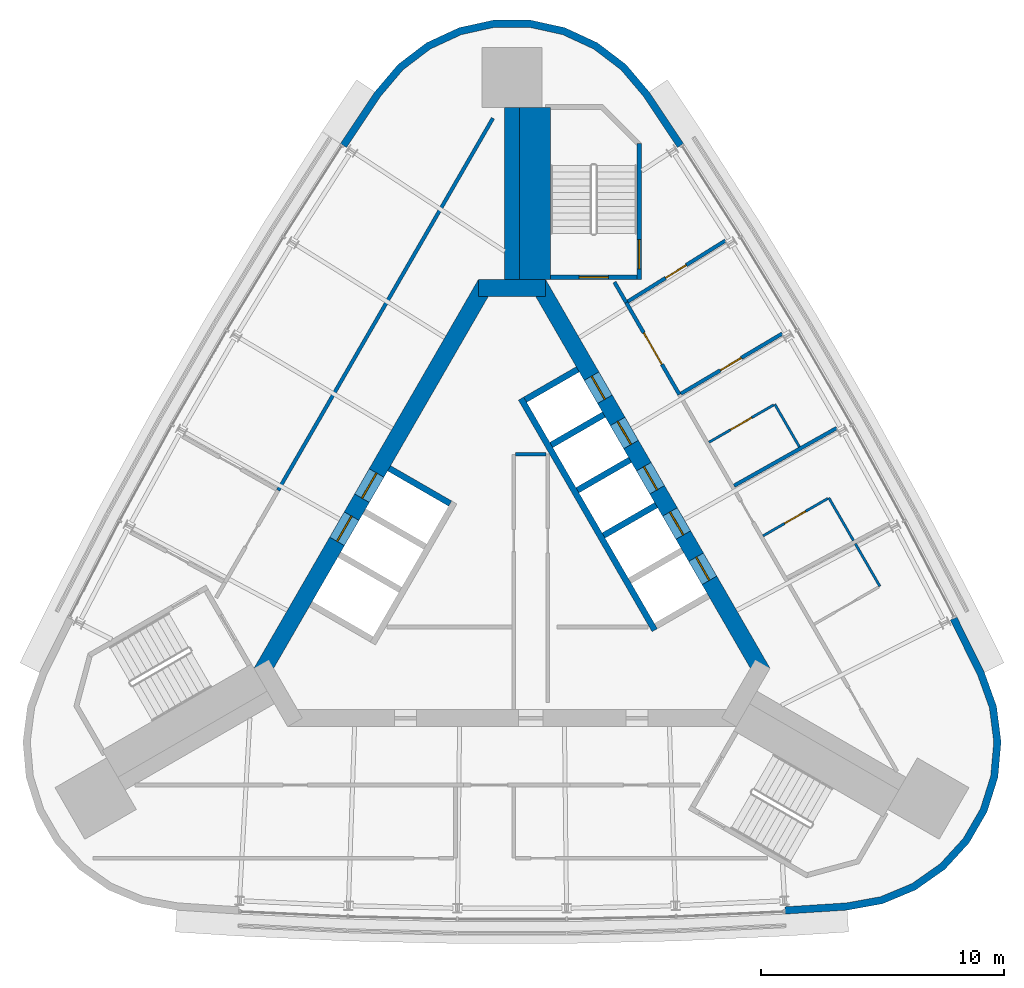
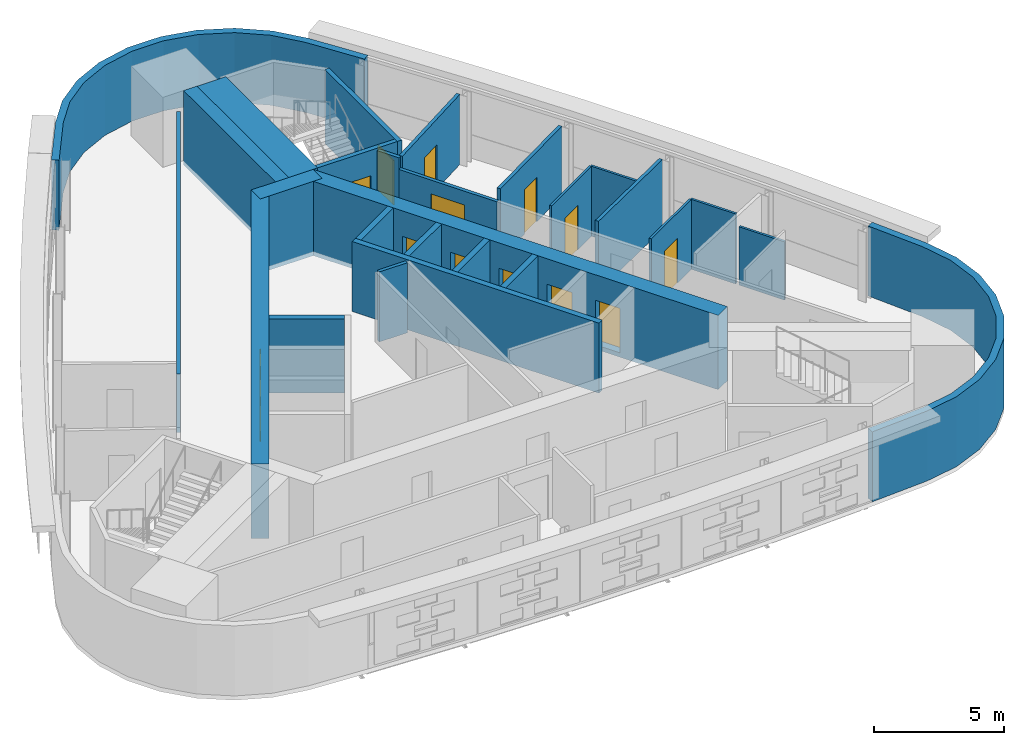
# One storey, part 7 of 10: 27 walls, 14 doors, 14 openings.
"""IFC4 building model written with IfcOpenShell, lengths in metres."""

from ifc_helpers import new_model, si_unit, direction, frame, frame_2d, origin, place, context, subcontext, project, spatial, polyline, rectangle, outline, extrude, material, layer, layer_set, type_object, element, fill, save


model = new_model("IFC4")

# Units and contexts
model_context = context("Model", 3, precision=1e-05, world=origin(), true_north=direction((0.0, 1.0)))
body_context = subcontext(model_context, "Body", "Model", "MODEL_VIEW")
ifc_project = project(units=[si_unit("LENGTHUNIT", "METRE"), si_unit("AREAUNIT", "SQUARE_METRE"), si_unit("VOLUMEUNIT", "CUBIC_METRE"), si_unit("PLANEANGLEUNIT", "RADIAN"), si_unit("MASSUNIT", "GRAM", prefix="KILO")], contexts=[model_context])

# Site, building, storey
site_placement = place(None, origin())
site = spatial("IfcSite", under=ifc_project, at=site_placement, CompositionType="ELEMENT")
building_placement = place(site_placement, origin())
building = spatial("IfcBuilding", under=site, at=building_placement, Name="Noor Cloister Tower", CompositionType="ELEMENT")
storey_placement = place(building_placement, frame((0.0, 0.0, 247.199951171875)))
storey = spatial("IfcBuildingStorey", under=building, at=storey_placement, Name="L64", CompositionType="ELEMENT", Elevation=247.199951171875)

# Walls
ifc_material_1 = material(Name="Concrete C60/75", Category="concrete")
ifc_layer_1 = layer(ifc_material_1, 0.60009765625)
ifc_layer_set_1 = layer_set([ifc_layer_1], Name="Buttress wall 600 C60/75")
wall_type_1 = type_object("IfcWallType", Name="Buttress wall 600 C60/75", PredefinedType="SHEAR", material=ifc_layer_set_1)
wall_1_placement = place(storey_placement, frame((0.0, 11.456298828125, -0.199951171875), z_axis=(0.0, 0.0, 1.0), x_axis=(0.0, 1.0, 0.0)))
element("IfcWall", 1, at=wall_1_placement, inside=storey, type_object=wall_type_1, Name="Buttress wall N L64", PredefinedType="SHEAR", context=body_context, shape_type="SweptSolid", body=[
    extrude(rectangle(XDim=7.09375, YDim=0.60009765625, at=frame_2d((3.546875, 0.0))), origin(), (0.0, 0.0, 1.0), 3.5),
])
ifc_material_2 = material(Name="Concrete C30/37", Category="concrete")
ifc_layer_2 = layer(ifc_material_2, 0.14990234375)
ifc_layer_set_2 = layer_set([ifc_layer_2], Name="Core partition 150 C30/37")
wall_type_2 = type_object("IfcWallType", Name="Core partition 150 C30/37", PredefinedType="PARTITIONING", material=ifc_layer_set_2)
wall_2_placement = place(storey_placement, frame((0.146240234375, 4.271728515625, 0.0), z_axis=(0.0, 0.0, 1.0), x_axis=(1.0, 0.0, 0.0)))
element("IfcWall", 2, at=wall_2_placement, inside=storey, type_object=wall_type_2, Name="Core room partition L64 3", PredefinedType="PARTITIONING", context=body_context, shape_type="SweptSolid", body=[
    extrude(rectangle(XDim=1.25, YDim=0.14990234375, at=frame_2d((0.625, 0.0))), origin(), (0.0, 0.0, 1.0), 3.300048828125),
])

# Wall, openings, doors
ifc_material_3 = material(Name="Concrete C60/75", Category="concrete")
ifc_layer_3 = layer(ifc_material_3, 0.699951171875)
ifc_layer_set_3 = layer_set([ifc_layer_3], Name="Core wall 700 C60/75")
wall_type_3 = type_object("IfcWallType", Name="Core wall 700 C60/75", PredefinedType="SHEAR", material=ifc_layer_set_3)
wall_3_placement = place(storey_placement, frame((10.311279296875, -4.703125, -0.199951171875), z_axis=(0.0, 0.0, 1.0), x_axis=(-0.500001446645, 0.866024568562, 0.0)))
wall_3 = element("IfcWall", 3, at=wall_3_placement, inside=storey, type_object=wall_type_3, Name="Core wall L64 3", PredefinedType="SHEAR", context=body_context, shape_type="SweptSolid", body=[
    extrude(rectangle(XDim=18.45751953125, YDim=0.699951171875, at=frame_2d((9.228759765625, 0.0))), origin(), (0.0, 0.0, 1.0), 3.5),
])
opening_1_placement = place(wall_3_placement, frame((4.378662109375, 0.0, 0.199951171875)))
opening_1 = element("IfcOpeningElement", 4, at=opening_1_placement, cuts=wall_3, Name="Opening L64-HR1", PredefinedType="OPENING", context=body_context, shape_type="SweptSolid", body=[
    extrude(rectangle(XDim=1.10009765625, YDim=2.10009765625, at=frame_2d((0.550048828125, 1.050048828125))), frame((0.0, 0.35986328125, 0.0), z_axis=(0.0, -1.0, 0.0), x_axis=(1.0, 0.0, 0.0)), (0.0, 0.0, 1.0), 0.719970703125),
])
opening_2_placement = place(wall_3_placement, frame((6.52880859375, 0.0, 0.199951171875)))
opening_2 = element("IfcOpeningElement", 5, at=opening_2_placement, cuts=wall_3, Name="Opening L64-HR2", PredefinedType="OPENING", context=body_context, shape_type="SweptSolid", body=[
    extrude(rectangle(XDim=1.10009765625, YDim=2.10009765625, at=frame_2d((0.550048828125, 1.050048828125))), frame((0.0, 0.35986328125, 0.0), z_axis=(0.0, -1.0, 0.0), x_axis=(1.0, 0.0, 0.0)), (0.0, 0.0, 1.0), 0.719970703125),
])
opening_3_placement = place(wall_3_placement, frame((8.6787109375, 0.0, 0.199951171875)))
opening_3 = element("IfcOpeningElement", 6, at=opening_3_placement, cuts=wall_3, Name="Opening L64-HR3", PredefinedType="OPENING", context=body_context, shape_type="SweptSolid", body=[
    extrude(rectangle(XDim=1.10009765625, YDim=2.10009765625, at=frame_2d((0.550048828125, 1.050048828125))), frame((0.0, 0.35986328125, 0.0), z_axis=(0.0, -1.0, 0.0), x_axis=(1.0, 0.0, 0.0)), (0.0, 0.0, 1.0), 0.719970703125),
])
opening_4_placement = place(wall_3_placement, frame((10.82861328125, 0.0, 0.199951171875)))
opening_4 = element("IfcOpeningElement", 7, at=opening_4_placement, cuts=wall_3, Name="Opening L64-HR4", PredefinedType="OPENING", context=body_context, shape_type="SweptSolid", body=[
    extrude(rectangle(XDim=1.10009765625, YDim=2.10009765625, at=frame_2d((0.550048828125, 1.050048828125))), frame((0.0, 0.35986328125, 0.0), z_axis=(0.0, -1.0, 0.0), x_axis=(1.0, 0.0, 0.0)), (0.0, 0.0, 1.0), 0.719970703125),
])
opening_5_placement = place(wall_3_placement, frame((12.978759765625, 0.0, 0.199951171875)))
opening_5 = element("IfcOpeningElement", 8, at=opening_5_placement, cuts=wall_3, Name="Opening L64-HR5", PredefinedType="OPENING", context=body_context, shape_type="SweptSolid", body=[
    extrude(rectangle(XDim=1.10009765625, YDim=2.10009765625, at=frame_2d((0.550048828125, 1.050048828125))), frame((0.0, 0.35986328125, 0.0), z_axis=(0.0, -1.0, 0.0), x_axis=(1.0, 0.0, 0.0)), (0.0, 0.0, 1.0), 0.719970703125),
])
ifc_material_4 = material(Name="Stainless steel", Category="steel")
door_type_1 = type_object("IfcDoorType", Name="Lift landing door 1100 x 2100", OperationType="DOUBLE_DOOR_SLIDING", PredefinedType="DOOR", material=ifc_material_4)
door_1_placement = place(opening_1_placement, origin())
door_1 = element("IfcDoor", 9, at=door_1_placement, inside=storey, type_object=door_type_1, Name="Landing door HR1 L64", OperationType="DOUBLE_DOOR_SLIDING", OverallHeight=2.10009765625, OverallWidth=1.10009765625, PredefinedType="DOOR", context=body_context, shape_type="SweptSolid", body=[
    extrude(rectangle(XDim=1.10009765625, YDim=2.10009765625, at=frame_2d((0.550048828125, 1.050048828125))), frame((0.0, 0.02490234375, 0.0), z_axis=(0.0, -1.0, 0.0), x_axis=(1.0, 0.0, 0.0)), (0.0, 0.0, 1.0), 0.050048828125),
])
fill(opening_1, door_1)
door_2_placement = place(opening_2_placement, origin())
door_2 = element("IfcDoor", 10, at=door_2_placement, inside=storey, type_object=door_type_1, Name="Landing door HR2 L64", OperationType="DOUBLE_DOOR_SLIDING", OverallHeight=2.10009765625, OverallWidth=1.10009765625, PredefinedType="DOOR", context=body_context, shape_type="SweptSolid", body=[
    extrude(rectangle(XDim=1.10009765625, YDim=2.10009765625, at=frame_2d((0.550048828125, 1.050048828125))), frame((0.0, 0.02490234375, 0.0), z_axis=(0.0, -1.0, 0.0), x_axis=(1.0, 0.0, 0.0)), (0.0, 0.0, 1.0), 0.050048828125),
])
fill(opening_2, door_2)
door_3_placement = place(opening_3_placement, origin())
door_3 = element("IfcDoor", 11, at=door_3_placement, inside=storey, type_object=door_type_1, Name="Landing door HR3 L64", OperationType="DOUBLE_DOOR_SLIDING", OverallHeight=2.10009765625, OverallWidth=1.10009765625, PredefinedType="DOOR", context=body_context, shape_type="SweptSolid", body=[
    extrude(rectangle(XDim=1.10009765625, YDim=2.10009765625, at=frame_2d((0.550048828125, 1.050048828125))), frame((0.0, 0.02490234375, 0.0), z_axis=(0.0, -1.0, 0.0), x_axis=(1.0, 0.0, 0.0)), (0.0, 0.0, 1.0), 0.050048828125),
])
fill(opening_3, door_3)
door_4_placement = place(opening_4_placement, origin())
door_4 = element("IfcDoor", 12, at=door_4_placement, inside=storey, type_object=door_type_1, Name="Landing door HR4 L64", OperationType="DOUBLE_DOOR_SLIDING", OverallHeight=2.10009765625, OverallWidth=1.10009765625, PredefinedType="DOOR", context=body_context, shape_type="SweptSolid", body=[
    extrude(rectangle(XDim=1.10009765625, YDim=2.10009765625, at=frame_2d((0.550048828125, 1.050048828125))), frame((0.0, 0.02490234375, 0.0), z_axis=(0.0, -1.0, 0.0), x_axis=(1.0, 0.0, 0.0)), (0.0, 0.0, 1.0), 0.050048828125),
])
fill(opening_4, door_4)
door_5_placement = place(opening_5_placement, origin())
door_5 = element("IfcDoor", 13, at=door_5_placement, inside=storey, type_object=door_type_1, Name="Landing door HR5 L64", OperationType="DOUBLE_DOOR_SLIDING", OverallHeight=2.10009765625, OverallWidth=1.10009765625, PredefinedType="DOOR", context=body_context, shape_type="SweptSolid", body=[
    extrude(rectangle(XDim=1.10009765625, YDim=2.10009765625, at=frame_2d((0.550048828125, 1.050048828125))), frame((0.0, 0.02490234375, 0.0), z_axis=(0.0, -1.0, 0.0), x_axis=(1.0, 0.0, 0.0)), (0.0, 0.0, 1.0), 0.050048828125),
])
fill(opening_5, door_5)

# Wall
wall_4_placement = place(storey_placement, frame((1.3857421875, 11.1064453125, -0.199951171875), z_axis=(0.0, 0.0, 1.0), x_axis=(-1.0, 0.0, 0.0)))
element("IfcWall", 14, at=wall_4_placement, inside=storey, type_object=wall_type_3, Name="Core wall L64 4", PredefinedType="SHEAR", context=body_context, shape_type="SweptSolid", body=[
    extrude(rectangle(XDim=2.771484375, YDim=0.699951171875, at=frame_2d((1.3857421875, 0.0))), origin(), (0.0, 0.0, 1.0), 3.5),
])

# Wall, openings, doors
wall_5_placement = place(storey_placement, frame((-1.08251953125, 11.281494140625, -0.199951171875), z_axis=(0.0, 0.0, 1.0), x_axis=(-0.500001446645, -0.866024568562, 0.0)))
wall_5 = element("IfcWall", 15, at=wall_5_placement, inside=storey, type_object=wall_type_3, Name="Core wall L64 5", PredefinedType="SHEAR", context=body_context, shape_type="SweptSolid", body=[
    extrude(rectangle(XDim=18.45751953125, YDim=0.699951171875, at=frame_2d((9.228759765625, 0.0))), origin(), (0.0, 0.0, 1.0), 3.5),
])
opening_6_placement = place(wall_5_placement, frame((8.978759765625, 0.0, 0.199951171875)))
opening_6 = element("IfcOpeningElement", 16, at=opening_6_placement, cuts=wall_5, Name="Opening L64-FF1", PredefinedType="OPENING", context=body_context, shape_type="SweptSolid", body=[
    extrude(rectangle(XDim=1.199951171875, YDim=2.10009765625, at=frame_2d((0.60009765625, 1.050048828125))), frame((0.0, 0.35986328125, 0.0), z_axis=(0.0, -1.0, 0.0), x_axis=(1.0, 0.0, 0.0)), (0.0, 0.0, 1.0), 0.719970703125),
])
opening_7_placement = place(wall_5_placement, frame((11.02880859375, 0.0, 0.199951171875)))
opening_7 = element("IfcOpeningElement", 17, at=opening_7_placement, cuts=wall_5, Name="Opening L64-FF2", PredefinedType="OPENING", context=body_context, shape_type="SweptSolid", body=[
    extrude(rectangle(XDim=1.199951171875, YDim=2.10009765625, at=frame_2d((0.60009765625, 1.050048828125))), frame((0.0, 0.35986328125, 0.0), z_axis=(0.0, -1.0, 0.0), x_axis=(1.0, 0.0, 0.0)), (0.0, 0.0, 1.0), 0.719970703125),
])
ifc_material_5 = material(Name="Stainless steel", Category="steel")
door_type_2 = type_object("IfcDoorType", Name="Lift landing door 1200 x 2100", OperationType="DOUBLE_DOOR_SLIDING", PredefinedType="DOOR", material=ifc_material_5)
door_6_placement = place(opening_6_placement, origin())
door_6 = element("IfcDoor", 18, at=door_6_placement, inside=storey, type_object=door_type_2, Name="Landing door FF1 L64", OperationType="DOUBLE_DOOR_SLIDING", OverallHeight=2.10009765625, OverallWidth=1.199951171875, PredefinedType="DOOR", context=body_context, shape_type="SweptSolid", body=[
    extrude(rectangle(XDim=1.199951171875, YDim=2.10009765625, at=frame_2d((0.60009765625, 1.050048828125))), frame((0.0, 0.02490234375, 0.0), z_axis=(0.0, -1.0, 0.0), x_axis=(1.0, 0.0, 0.0)), (0.0, 0.0, 1.0), 0.050048828125),
])
fill(opening_6, door_6)
door_7_placement = place(opening_7_placement, origin())
door_7 = element("IfcDoor", 19, at=door_7_placement, inside=storey, type_object=door_type_2, Name="Landing door FF2 L64", OperationType="DOUBLE_DOOR_SLIDING", OverallHeight=2.10009765625, OverallWidth=1.199951171875, PredefinedType="DOOR", context=body_context, shape_type="SweptSolid", body=[
    extrude(rectangle(XDim=1.199951171875, YDim=2.10009765625, at=frame_2d((0.60009765625, 1.050048828125))), frame((0.0, 0.02490234375, 0.0), z_axis=(0.0, -1.0, 0.0), x_axis=(1.0, 0.0, 0.0)), (0.0, 0.0, 1.0), 0.050048828125),
])
fill(opening_7, door_7)

# Walls
ifc_material_6 = material(Name="Fire-rated gypsum board partition on steel studs, 150 mm", Category="steel")
ifc_layer_4 = layer(ifc_material_6, 0.14990234375)
ifc_layer_set_4 = layer_set([ifc_layer_4], Name="Fire lobby wall 150")
wall_type_4 = type_object("IfcWallType", Name="Fire lobby wall 150", PredefinedType="PARTITIONING", material=ifc_layer_set_4)
wall_6_placement = place(storey_placement, frame((-0.783203125, 18.10009765625, 0.0), z_axis=(0.0, 0.0, 1.0), x_axis=(-0.499991500055, -0.866030311174, 0.0)))
element("IfcWall", 20, at=wall_6_placement, inside=storey, type_object=wall_type_4, Name="Wall L64-W21", PredefinedType="PARTITIONING", context=body_context, shape_type="SweptSolid", body=[
    extrude(rectangle(XDim=17.673583984375, YDim=0.14990234375, at=frame_2d((8.8369140625, 0.0))), origin(), (0.0, 0.0, 1.0), 2.751953125),
])
ifc_material_7 = material(Name="Gypsum board partition on steel studs, 150 mm", Category="steel")
ifc_layer_5 = layer(ifc_material_7, 0.14990234375)
ifc_layer_set_5 = layer_set([ifc_layer_5], Name="Flat wall 150")
wall_type_5 = type_object("IfcWallType", Name="Flat wall 150", PredefinedType="PARTITIONING", material=ifc_layer_set_5)
wall_7_placement = place(storey_placement, frame((4.698974609375, 10.517578125, 0.0), z_axis=(0.0, 0.0, 1.0), x_axis=(-0.500042431503, 0.866000904559, 0.0)))
element("IfcWall", 21, at=wall_7_placement, inside=storey, type_object=wall_type_5, Name="Wall L64-W02", PredefinedType="PARTITIONING", context=body_context, shape_type="SweptSolid", body=[
    extrude(rectangle(XDim=0.96875, YDim=0.14990234375, at=frame_2d((0.484375, 0.0))), origin(), (0.0, 0.0, 1.0), 3.300048828125),
])

# Wall, opening, door
wall_8_placement = place(storey_placement, frame((11.115966796875, 9.237548828125, 0.0), z_axis=(0.0, 0.0, 1.0), x_axis=(-0.860234203322, -0.509899122803, 0.0)))
wall_8 = element("IfcWall", 22, at=wall_8_placement, inside=storey, type_object=wall_type_5, Name="Wall L64-W03", PredefinedType="PARTITIONING", context=body_context, shape_type="SweptSolid", body=[
    extrude(rectangle(XDim=4.842529296875, YDim=0.14990234375, at=frame_2d((2.42138671875, 0.0))), origin(), (0.0, 0.0, 1.0), 3.300048828125),
])
opening_8_placement = place(wall_8_placement, frame((1.958740234375, 0.0, 0.0)))
opening_8 = element("IfcOpeningElement", 23, at=opening_8_placement, cuts=wall_8, Name="Opening L64-007", PredefinedType="OPENING", context=body_context, shape_type="SweptSolid", body=[
    extrude(rectangle(XDim=1.0, YDim=2.10009765625, at=frame_2d((0.5, 1.050048828125))), frame((0.0, 0.0849609375, 0.0), z_axis=(0.0, -1.0, 0.0), x_axis=(1.0, 0.0, 0.0)), (0.0, 0.0, 1.0), 0.169921875),
])
ifc_material_8 = material(Name="Timber door leaf with steel frame", Category="steel")
door_type_3 = type_object("IfcDoorType", Name="Flat entrance door 1000", OperationType="NOTDEFINED", PredefinedType="DOOR", material=ifc_material_8)
door_8_placement = place(opening_8_placement, origin())
door_8 = element("IfcDoor", 24, at=door_8_placement, inside=storey, type_object=door_type_3, Name="Door L64-007", OperationType="SINGLE_SWING_LEFT", OverallHeight=2.10009765625, OverallWidth=1.0, PredefinedType="DOOR", context=body_context, shape_type="SweptSolid", body=[
    extrude(rectangle(XDim=1.0, YDim=2.10009765625, at=frame_2d((0.5, 1.050048828125))), frame((0.0, 0.02490234375, 0.0), z_axis=(0.0, -1.0, 0.0), x_axis=(1.0, 0.0, 0.0)), (0.0, 0.0, 1.0), 0.050048828125),
])
fill(opening_8, door_8)

wall_9_placement = place(storey_placement, frame((8.78173828125, 13.065673828125, 0.0), z_axis=(0.0, 0.0, 1.0), x_axis=(-0.848316605914, -0.529489316351, 0.0)))
wall_9 = element("IfcWall", 25, at=wall_9_placement, inside=storey, type_object=wall_type_5, Name="Wall L64-W04", PredefinedType="PARTITIONING", context=body_context, shape_type="SweptSolid", body=[
    extrude(rectangle(XDim=4.737548828125, YDim=0.14990234375, at=frame_2d((2.36865234375, 0.0))), origin(), (0.0, 0.0, 1.0), 3.300048828125),
])
opening_9_placement = place(wall_9_placement, frame((1.90625, 0.0, 0.0)))
opening_9 = element("IfcOpeningElement", 26, at=opening_9_placement, cuts=wall_9, Name="Opening L64-008", PredefinedType="OPENING", context=body_context, shape_type="SweptSolid", body=[
    extrude(rectangle(XDim=1.0, YDim=2.10009765625, at=frame_2d((0.5, 1.050048828125))), frame((0.0, 0.0849609375, 0.0), z_axis=(0.0, -1.0, 0.0), x_axis=(1.0, 0.0, 0.0)), (0.0, 0.0, 1.0), 0.169921875),
])
ifc_material_9 = material(Name="Timber door leaf with steel frame", Category="steel")
door_type_4 = type_object("IfcDoorType", Name="Interior door 1000 FD60", OperationType="NOTDEFINED", PredefinedType="DOOR", material=ifc_material_9)
door_9_placement = place(opening_9_placement, origin())
door_9 = element("IfcDoor", 27, at=door_9_placement, inside=storey, type_object=door_type_4, Name="Door L64-008", OperationType="SINGLE_SWING_RIGHT", OverallHeight=2.10009765625, OverallWidth=1.0, PredefinedType="DOOR", context=body_context, shape_type="SweptSolid", body=[
    extrude(rectangle(XDim=1.0, YDim=2.10009765625, at=frame_2d((0.5, 1.050048828125))), frame((0.0, 0.02490234375, 0.0), z_axis=(0.0, -1.0, 0.0), x_axis=(1.0, 0.0, 0.0)), (0.0, 0.0, 1.0), 0.050048828125),
])
fill(opening_9, door_9)

wall_10_placement = place(storey_placement, frame((6.8857421875, 6.72998046875, 0.0), z_axis=(0.0, 0.0, 1.0), x_axis=(-0.499999494409, 0.866025695687, 0.0)))
wall_10 = element("IfcWall", 28, at=wall_10_placement, inside=storey, type_object=wall_type_5, Name="Wall L64-W05", PredefinedType="PARTITIONING", context=body_context, shape_type="SweptSolid", body=[
    extrude(rectangle(XDim=4.37353515625, YDim=0.14990234375, at=frame_2d((2.186767578125, 0.0))), origin(), (0.0, 0.0, 1.0), 2.751953125),
])
opening_10_placement = place(wall_10_placement, frame((1.436767578125, 0.0, 0.0)))
opening_10 = element("IfcOpeningElement", 29, at=opening_10_placement, cuts=wall_10, Name="Opening L64-001", PredefinedType="OPENING", context=body_context, shape_type="SweptSolid", body=[
    extrude(rectangle(XDim=1.5, YDim=2.10009765625, at=frame_2d((0.75, 1.050048828125))), frame((0.0, 0.0849609375, 0.0), z_axis=(0.0, -1.0, 0.0), x_axis=(1.0, 0.0, 0.0)), (0.0, 0.0, 1.0), 0.169921875),
])
ifc_material_10 = material(Name="Timber door leaf with steel frame", Category="steel")
door_type_5 = type_object("IfcDoorType", Name="Double door 1500 FD60", OperationType="NOTDEFINED", PredefinedType="DOOR", material=ifc_material_10)
door_10_placement = place(opening_10_placement, origin())
door_10 = element("IfcDoor", 30, at=door_10_placement, inside=storey, type_object=door_type_5, Name="Door L64-001", OperationType="DOUBLE_DOOR_SINGLE_SWING", OverallHeight=2.10009765625, OverallWidth=1.5, PredefinedType="DOOR", context=body_context, shape_type="SweptSolid", body=[
    extrude(rectangle(XDim=1.5, YDim=2.10009765625, at=frame_2d((0.75, 1.050048828125))), frame((0.0, 0.02490234375, 0.0), z_axis=(0.0, -1.0, 0.0), x_axis=(1.0, 0.0, 0.0)), (0.0, 0.0, 1.0), 0.050048828125),
])
fill(opening_10, door_10)

# Walls
wall_11_placement = place(storey_placement, frame((13.36181640625, 5.356689453125, 0.0), z_axis=(0.0, 0.0, 1.0), x_axis=(-0.871708672205, -0.490024479799, 0.0)))
element("IfcWall", 31, at=wall_11_placement, inside=storey, type_object=wall_type_5, Name="Wall L64-W11", PredefinedType="PARTITIONING", context=body_context, shape_type="SweptSolid", body=[
    extrude(rectangle(XDim=4.84716796875, YDim=0.14990234375, at=frame_2d((2.423583984375, 0.0))), origin(), (0.0, 0.0, 1.0), 3.300048828125),
])
ifc_material_11 = material(Name="Limestone", Category="masonry")
ifc_layer_6 = layer(ifc_material_11, 0.300048828125)
ifc_layer_set_6 = layer_set([ifc_layer_6], Name="Limestone cladding 300")
wall_type_6 = type_object("IfcWallType", Name="Limestone cladding 300", PredefinedType="NOTDEFINED", material=ifc_layer_set_6)
wall_12_placement = place(storey_placement, origin())
element("IfcWall", 32, at=wall_12_placement, inside=storey, type_object=wall_type_6, Name="Limestone pier cladding L64 2.1", PredefinedType="NOTDEFINED", context=body_context, shape_type="SweptSolid", body=[
    extrude(outline(polyline([(11.243896484375, -14.640625), (13.788818359375, -14.47802734375), (15.24072265625, -14.21533203125), (16.60205078125, -13.646484375), (17.808837890625, -12.797607421875), (18.804443359375, -11.70849609375), (19.542236328125, -10.430908203125), (19.9873046875, -9.024169921875), (20.119140625, -7.5546875), (19.931396484375, -6.091064453125), (19.4326171875, -4.702392578125), (18.301025390625, -2.417236328125), (18.0322265625, -2.55029296875), (19.15625, -4.820068359375), (19.637939453125, -6.161865234375), (19.8173828125, -7.560302734375), (19.69140625, -8.96484375), (19.26611328125, -10.30908203125), (18.56103515625, -11.5302734375), (17.609375, -12.571044921875), (16.4560546875, -13.38232421875), (15.1552734375, -13.926025390625), (13.75244140625, -14.1796875), (11.224609375, -14.341064453125), (11.243896484375, -14.640625)])), origin(), (0.0, 0.0, 1.0), 3.300048828125),
])
wall_13_placement = place(storey_placement, origin())
element("IfcWall", 33, at=wall_13_placement, inside=storey, type_object=wall_type_6, Name="Limestone pier cladding L64 3.1", PredefinedType="NOTDEFINED", context=body_context, shape_type="SweptSolid", body=[
    extrude(outline(polyline([(7.05712890625, 17.0576171875), (5.643798828125, 19.180419921875), (4.690673828125, 20.306640625), (3.51708984375, 21.200927734375), (2.178466796875, 21.821533203125), (0.73779296875, 22.139404296875), (-0.73779296875, 22.139404296875), (-2.178466796875, 21.821533203125), (-3.51708984375, 21.200927734375), (-4.690673828125, 20.306640625), (-5.643798828125, 19.180419921875), (-7.05712890625, 17.0576171875), (-6.807373046875, 16.891357421875), (-5.40380859375, 18.999755859375), (-4.482666015625, 20.087890625), (-3.361328125, 20.942626953125), (-2.08203125, 21.53564453125), (-0.705078125, 21.83935546875), (0.705078125, 21.83935546875), (2.08203125, 21.53564453125), (3.361328125, 20.942626953125), (4.482666015625, 20.087890625), (5.40380859375, 18.999755859375), (6.807373046875, 16.891357421875), (7.05712890625, 17.0576171875)])), origin(), (0.0, 0.0, 1.0), 3.300048828125),
])
ifc_material_12 = material(Name="Gypsum board partition on steel studs, 100 mm", Category="steel")
ifc_layer_7 = layer(ifc_material_12, 0.10009765625)
ifc_layer_set_7 = layer_set([ifc_layer_7], Name="Partition 100")
wall_type_7 = type_object("IfcWallType", Name="Partition 100", PredefinedType="PARTITIONING", material=ifc_layer_set_7)
wall_14_placement = place(storey_placement, frame((14.12158203125, 0.596923828125, 0.0), z_axis=(0.0, 0.0, 1.0), x_axis=(0.499990325971, -0.866030989016, 0.0)))
element("IfcWall", 34, at=wall_14_placement, inside=storey, type_object=wall_type_7, Name="Wall L64-W06", PredefinedType="PARTITIONING", context=body_context, shape_type="SweptSolid", body=[
    extrude(rectangle(XDim=2.02490234375, YDim=0.10009765625, at=frame_2d((1.012451171875, 0.0))), origin(), (0.0, 0.0, 1.0), 2.751953125),
])
wall_15_placement = place(storey_placement, frame((14.046630859375, 0.72705078125, 0.0), z_axis=(0.0, 0.0, 1.0), x_axis=(-0.499990325971, 0.866030989016, 0.0)))
element("IfcWall", 35, at=wall_15_placement, inside=storey, type_object=wall_type_7, Name="Wall L64-W09", PredefinedType="PARTITIONING", context=body_context, shape_type="SweptSolid", body=[
    extrude(rectangle(XDim=2.02490234375, YDim=0.10009765625, at=frame_2d((1.012451171875, 0.0))), origin(), (0.0, 0.0, 1.0), 3.300048828125),
])

# Wall, opening, door
wall_16_placement = place(storey_placement, frame((12.99072265625, 2.45556640625, 0.0), z_axis=(0.0, 0.0, 1.0), x_axis=(-0.866030883713, -0.499990508365, 0.0)))
wall_16 = element("IfcWall", 36, at=wall_16_placement, inside=storey, type_object=wall_type_7, Name="Wall L64-W10", PredefinedType="PARTITIONING", context=body_context, shape_type="SweptSolid", body=[
    extrude(rectangle(XDim=3.07470703125, YDim=0.10009765625, at=frame_2d((1.537353515625, 0.0))), origin(), (0.0, 0.0, 1.0), 3.300048828125),
])
opening_11_placement = place(wall_16_placement, frame((1.050048828125, 0.0, 0.0)))
opening_11 = element("IfcOpeningElement", 37, at=opening_11_placement, cuts=wall_16, Name="Opening L64-004", PredefinedType="OPENING", context=body_context, shape_type="SweptSolid", body=[
    extrude(rectangle(XDim=1.0, YDim=2.10009765625, at=frame_2d((0.5, 1.050048828125))), frame((0.0, 0.06005859375, 0.0), z_axis=(0.0, -1.0, 0.0), x_axis=(1.0, 0.0, 0.0)), (0.0, 0.0, 1.0), 0.1201171875),
])
ifc_material_13 = material(Name="Timber door leaf with steel frame", Category="steel")
door_type_6 = type_object("IfcDoorType", Name="Interior door 1000", OperationType="NOTDEFINED", PredefinedType="DOOR", material=ifc_material_13)
door_11_placement = place(opening_11_placement, origin())
door_11 = element("IfcDoor", 38, at=door_11_placement, inside=storey, type_object=door_type_6, Name="Door L64-004", OperationType="SINGLE_SWING_RIGHT", OverallHeight=2.10009765625, OverallWidth=1.0, PredefinedType="DOOR", context=body_context, shape_type="SweptSolid", body=[
    extrude(rectangle(XDim=1.0, YDim=2.10009765625, at=frame_2d((0.5, 1.050048828125))), frame((0.0, 0.02490234375, 0.0), z_axis=(0.0, -1.0, 0.0), x_axis=(1.0, 0.0, 0.0)), (0.0, 0.0, 1.0), 0.050048828125),
])
fill(opening_11, door_11)

# Wall
wall_17_placement = place(storey_placement, frame((11.8232421875, 4.577880859375, 0.0), z_axis=(0.0, 0.0, 1.0), x_axis=(-0.499990325971, 0.866030989016, 0.0)))
element("IfcWall", 39, at=wall_17_placement, inside=storey, type_object=wall_type_7, Name="Wall L64-W12", PredefinedType="PARTITIONING", context=body_context, shape_type="SweptSolid", body=[
    extrude(rectangle(XDim=2.02490234375, YDim=0.10009765625, at=frame_2d((1.012451171875, 0.0))), origin(), (0.0, 0.0, 1.0), 3.300048828125),
])

# Wall, opening, door
wall_18_placement = place(storey_placement, frame((10.767578125, 6.306396484375, 0.0), z_axis=(0.0, 0.0, 1.0), x_axis=(-0.866050731258, -0.499956128963, 0.0)))
wall_18 = element("IfcWall", 40, at=wall_18_placement, inside=storey, type_object=wall_type_7, Name="Wall L64-W13", PredefinedType="PARTITIONING", context=body_context, shape_type="SweptSolid", body=[
    extrude(rectangle(XDim=3.074951171875, YDim=0.10009765625, at=frame_2d((1.53759765625, 0.0))), origin(), (0.0, 0.0, 1.0), 3.300048828125),
])
opening_12_placement = place(wall_18_placement, frame((1.050048828125, 0.0, 0.0)))
opening_12 = element("IfcOpeningElement", 41, at=opening_12_placement, cuts=wall_18, Name="Opening L64-006", PredefinedType="OPENING", context=body_context, shape_type="SweptSolid", body=[
    extrude(rectangle(XDim=1.0, YDim=2.10009765625, at=frame_2d((0.5, 1.050048828125))), frame((0.0, 0.06005859375, 0.0), z_axis=(0.0, -1.0, 0.0), x_axis=(1.0, 0.0, 0.0)), (0.0, 0.0, 1.0), 0.1201171875),
])
door_12_placement = place(opening_12_placement, origin())
door_12 = element("IfcDoor", 42, at=door_12_placement, inside=storey, type_object=door_type_6, Name="Door L64-006", OperationType="SINGLE_SWING_RIGHT", OverallHeight=2.10009765625, OverallWidth=1.0, PredefinedType="DOOR", context=body_context, shape_type="SweptSolid", body=[
    extrude(rectangle(XDim=1.0, YDim=2.10009765625, at=frame_2d((0.5, 1.050048828125))), frame((0.0, 0.02490234375, 0.0), z_axis=(0.0, -1.0, 0.0), x_axis=(1.0, 0.0, 0.0)), (0.0, 0.0, 1.0), 0.050048828125),
])
fill(opening_12, door_12)

# Walls
ifc_material_14 = material(Name="Concrete C60/75", Category="concrete")
ifc_layer_8 = layer(ifc_material_14, 0.25)
ifc_layer_set_8 = layer_set([ifc_layer_8], Name="Shaft wall 250 C60/75")
wall_type_8 = type_object("IfcWallType", Name="Shaft wall 250 C60/75", PredefinedType="PARTITIONING", material=ifc_layer_set_8)
wall_19_placement = place(storey_placement, frame((5.931396484375, 2.18310546875, -0.199951171875), z_axis=(0.0, 0.0, 1.0), x_axis=(-0.866047370643, -0.499961950354, 0.0)))
element("IfcWall", 43, at=wall_19_placement, inside=storey, type_object=wall_type_8, Name="Lift shaft wall L64 NE 3", PredefinedType="PARTITIONING", context=body_context, shape_type="SweptSolid", body=[
    extrude(rectangle(XDim=2.500244140625, YDim=0.25, at=frame_2d((1.25, 0.0))), origin(), (0.0, 0.0, 1.0), 3.5),
])
for number, where, z_axis, x_axis, name in (
    (44, (4.856201171875, 4.045166015625, -0.199951171875), (0.0, 0.0, 1.0), (-0.866022959057, -0.500004234368, 0.0), "Lift shaft wall L64 NE 4"),
    (45, (3.78125, 5.906982421875, -0.199951171875), (0.0, 0.0, 1.0), (-0.866022959057, -0.500004234368, 0.0), "Lift shaft wall L64 NE 5"),
    (46, (2.706298828125, 7.76904296875, -0.199951171875), (0.0, 0.0, 1.0), (-0.866022959057, -0.500004234368, 0.0), "Lift shaft wall L64 NE 6"),
):
    element("IfcWall", number, at=place(storey_placement, frame(where, z_axis=z_axis, x_axis=x_axis)), inside=storey, type_object=wall_type_8, Name=name, PredefinedType="PARTITIONING", context=body_context, shape_type="SweptSolid", body=[
        extrude(rectangle(XDim=2.5, YDim=0.25, at=frame_2d((1.25, 0.0))), origin(), (0.0, 0.0, 1.0), 3.5),
    ])
wall_20_placement = place(storey_placement, frame((5.870361328125, -2.96142578125, 0.0), z_axis=(0.0, 0.0, 1.0), x_axis=(-0.50000615651, 0.866021849293, 0.0)))
element("IfcWall", 47, at=wall_20_placement, inside=storey, type_object=wall_type_8, Name="Lift shaft back wall L64 NE", PredefinedType="PARTITIONING", context=body_context, shape_type="SweptSolid", body=[
    extrude(rectangle(XDim=10.999755859375, YDim=0.25, at=frame_2d((5.5, 0.0))), origin(), (0.0, 0.0, 1.0), 3.300048828125),
])
wall_21_placement = place(storey_placement, frame((-5.056396484375, 3.69873046875, -0.199951171875), z_axis=(0.0, 0.0, 1.0), x_axis=(0.866032775405, -0.499987231761, 0.0)))
element("IfcWall", 48, at=wall_21_placement, inside=storey, type_object=wall_type_8, Name="Lift shaft wall L64 NW 3", PredefinedType="PARTITIONING", context=body_context, shape_type="SweptSolid", body=[
    extrude(rectangle(XDim=2.89990234375, YDim=0.25, at=frame_2d((1.449951171875, 0.0))), origin(), (0.0, 0.0, 1.0), 3.5),
])
ifc_material_15 = material(Name="Concrete C60/75", Category="concrete")
ifc_layer_9 = layer(ifc_material_15, 1.285888671875)
ifc_layer_set_9 = layer_set([ifc_layer_9], Name="Stair enclosure wall 1286 C60/75")
wall_type_9 = type_object("IfcWallType", Name="Stair enclosure wall 1286 C60/75", PredefinedType="SHEAR", material=ifc_layer_set_9)
wall_22_placement = place(storey_placement, frame((0.94287109375, 11.456298828125, -0.199951171875), z_axis=(0.0, 0.0, 1.0), x_axis=(0.0, 1.0, 0.0)))
element("IfcWall", 49, at=wall_22_placement, inside=storey, type_object=wall_type_9, Name="Stair enclosure wall ST1 L64 riser side", PredefinedType="SHEAR", context=body_context, shape_type="SweptSolid", body=[
    extrude(rectangle(XDim=7.09375, YDim=1.28564453125, at=frame_2d((3.546875, 0.0))), origin(), (0.0, 0.0, 1.0), 3.5),
])

# Wall, opening, door
ifc_material_16 = material(Name="Concrete C60/75", Category="concrete")
ifc_layer_10 = layer(ifc_material_16, 0.199951171875)
ifc_layer_set_10 = layer_set([ifc_layer_10], Name="Stair enclosure wall 200 C60/75")
wall_type_10 = type_object("IfcWallType", Name="Stair enclosure wall 200 C60/75", PredefinedType="SHEAR", material=ifc_layer_set_10)
wall_23_placement = place(storey_placement, frame((5.135498046875, 11.556396484375, -0.199951171875), z_axis=(0.0, 0.0, 1.0), x_axis=(-1.0, 0.0, 0.0)))
wall_23 = element("IfcWall", 50, at=wall_23_placement, inside=storey, type_object=wall_type_10, Name="Stair enclosure wall ST1 L64 near end", PredefinedType="SHEAR", context=body_context, shape_type="SweptSolid", body=[
    extrude(rectangle(XDim=3.5498046875, YDim=0.199951171875, at=frame_2d((1.77490234375, 0.0))), origin(), (0.0, 0.0, 1.0), 3.5),
])
opening_13_placement = place(wall_23_placement, frame((1.175048828125, 0.0, 0.199951171875)))
opening_13 = element("IfcOpeningElement", 51, at=opening_13_placement, cuts=wall_23, Name="Opening L64-ST1L", PredefinedType="OPENING", context=body_context, shape_type="SweptSolid", body=[
    extrude(rectangle(XDim=1.199951171875, YDim=2.10009765625, at=frame_2d((0.60009765625, 1.050048828125))), frame((0.0, 0.10986328125, 0.0), z_axis=(0.0, -1.0, 0.0), x_axis=(1.0, 0.0, 0.0)), (0.0, 0.0, 1.0), 0.219970703125),
])
ifc_material_17 = material(Name="Steel", Category="steel")
door_type_7 = type_object("IfcDoorType", Name="Stair door 1200 x 2100 FD120", OperationType="SINGLE_SWING_LEFT", PredefinedType="DOOR", material=ifc_material_17)
door_13_placement = place(opening_13_placement, origin())
door_13 = element("IfcDoor", 52, at=door_13_placement, inside=storey, type_object=door_type_7, Name="Stair door ST1 L64", OperationType="SINGLE_SWING_RIGHT", OverallHeight=2.10009765625, OverallWidth=1.199951171875, PredefinedType="DOOR", context=body_context, shape_type="SweptSolid", body=[
    extrude(rectangle(XDim=1.199951171875, YDim=2.10009765625, at=frame_2d((0.60009765625, 1.050048828125))), frame((0.0, 0.02490234375, 0.0), z_axis=(0.0, -1.0, 0.0), x_axis=(1.0, 0.0, 0.0)), (0.0, 0.0, 1.0), 0.050048828125),
])
fill(opening_13, door_13)

wall_24_placement = place(storey_placement, frame((5.235595703125, 11.456298828125, -0.199951171875), z_axis=(0.0, 0.0, 1.0), x_axis=(0.0, 1.0, 0.0)))
wall_24 = element("IfcWall", 53, at=wall_24_placement, inside=storey, type_object=wall_type_10, Name="Stair enclosure wall ST1 L64 outer side", PredefinedType="SHEAR", context=body_context, shape_type="SweptSolid", body=[
    extrude(rectangle(XDim=5.60009765625, YDim=0.199951171875, at=frame_2d((2.800048828125, 0.0))), origin(), (0.0, 0.0, 1.0), 3.5),
])
opening_14_placement = place(wall_24_placement, frame((0.449951171875, 0.0, 0.199951171875)))
opening_14 = element("IfcOpeningElement", 54, at=opening_14_placement, cuts=wall_24, Name="Opening L64-ST1C", PredefinedType="OPENING", context=body_context, shape_type="SweptSolid", body=[
    extrude(rectangle(XDim=1.199951171875, YDim=2.10009765625, at=frame_2d((0.60009765625, 1.050048828125))), frame((0.0, 0.10986328125, 0.0), z_axis=(0.0, -1.0, 0.0), x_axis=(1.0, 0.0, 0.0)), (0.0, 0.0, 1.0), 0.219970703125),
])
door_14_placement = place(opening_14_placement, origin())
door_14 = element("IfcDoor", 55, at=door_14_placement, inside=storey, type_object=door_type_7, Name="Stair door ST1 L64", OperationType="SINGLE_SWING_LEFT", OverallHeight=2.10009765625, OverallWidth=1.199951171875, PredefinedType="DOOR", context=body_context, shape_type="SweptSolid", body=[
    extrude(rectangle(XDim=1.199951171875, YDim=2.10009765625, at=frame_2d((0.60009765625, 1.050048828125))), frame((0.0, 0.02490234375, 0.0), z_axis=(0.0, -1.0, 0.0), x_axis=(1.0, 0.0, 0.0)), (0.0, 0.0, 1.0), 0.050048828125),
])
fill(opening_14, door_14)

save(model, "model.ifc")
